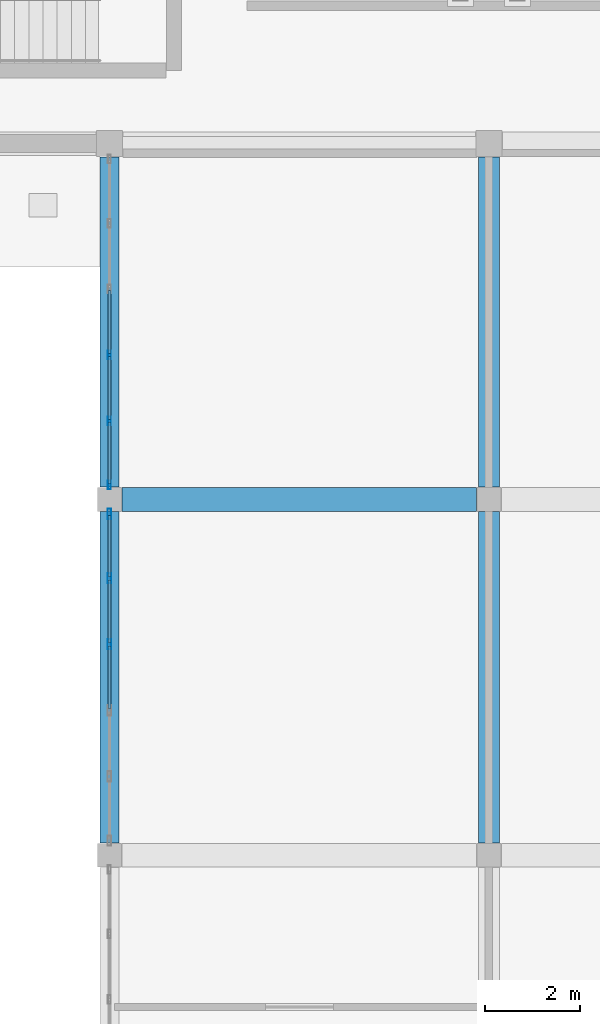
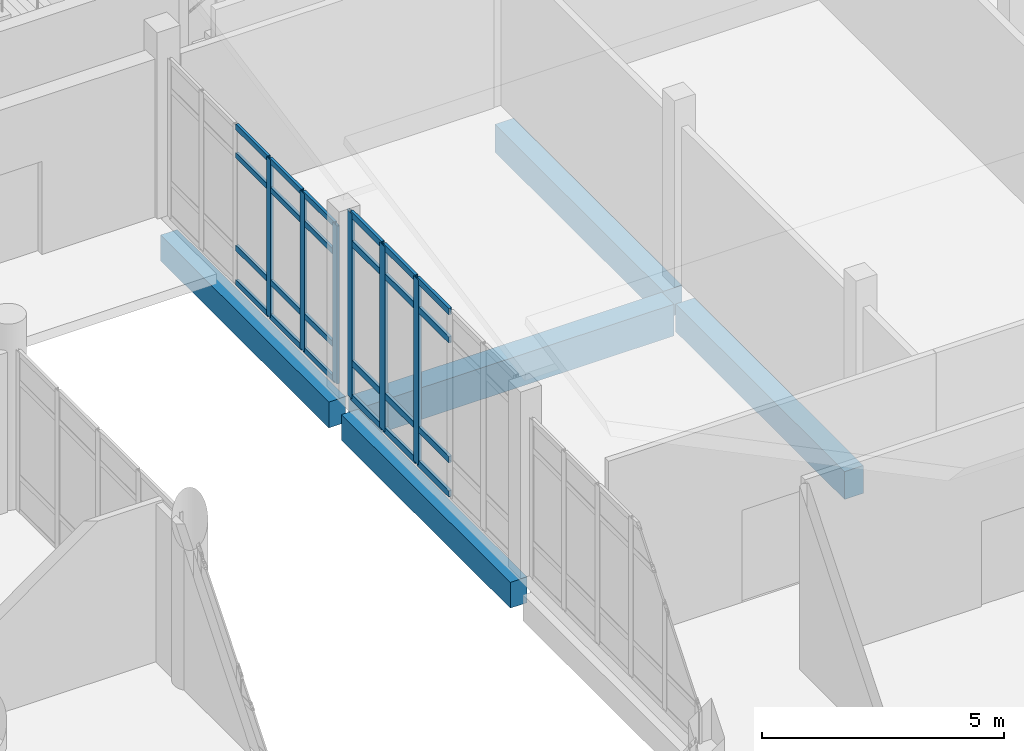
# One storey, part 78 of 173: 30 members, 5 beams, 2 elements without a shape of their own.
"""IFC4 building model written with IfcOpenShell, lengths in metres."""

from ifc_helpers import new_model, si_unit, direction, frame, origin, origin_2d, place, context, subcontext, project, spatial, rectangle, hollow_rectangle, extrude, material, layer, layer_set, material_profile, profile_set, type_object, element, aggregate, save


model = new_model("IFC4")

# Units and contexts
model_context = context("Model", 3, precision=1e-05, world=origin(), true_north=direction((0.0, 1.0)))
body_context = subcontext(model_context, "Body", "Model", "MODEL_VIEW")
ifc_project = project(units=[si_unit("LENGTHUNIT", "METRE"), si_unit("AREAUNIT", "SQUARE_METRE"), si_unit("VOLUMEUNIT", "CUBIC_METRE"), si_unit("PLANEANGLEUNIT", "RADIAN"), si_unit("MASSUNIT", "GRAM", prefix="KILO")], contexts=[model_context])

# Site, building, storey
site_placement = place(None, origin())
site = spatial("IfcSite", under=ifc_project, at=site_placement, CompositionType="ELEMENT")
building_placement = place(site_placement, origin())
building = spatial("IfcBuilding", under=site, at=building_placement, Name="Mawjan Specialist Oncology Clinic", CompositionType="ELEMENT")
storey_placement = place(building_placement, origin())
storey = spatial("IfcBuildingStorey", under=building, at=storey_placement, Name="L00", CompositionType="ELEMENT", Elevation=0.0)

# Beams
ifc_material_1 = material(Name="Concrete C40/50", Category="concrete")
ifc_material_profile_1 = material_profile(ifc_material_1, rectangle(XDim=0.449951171875, YDim=0.699951171875, at=origin_2d()), Name="RC BM 450x700", Category="concrete")
ifc_profile_set_1 = profile_set([ifc_material_profile_1], Name="Concrete C40/50")
beam_type_1 = type_object("IfcBeamType", Name="BM-450x700", PredefinedType="BEAM", material=ifc_profile_set_1)
beam_1_placement = place(storey_placement, frame((124.0, 61.06005859375, -0.77001953125), z_axis=(0.0, 1.0, 0.0), x_axis=(-1.0, 0.0, 0.0)))
element("IfcBeam", 1, at=beam_1_placement, inside=storey, type_object=beam_type_1, Name="L00 Collector Beam BM-L00-0190", PredefinedType="BEAM", context=body_context, shape_type="SweptSolid", body=[
    extrude(rectangle(XDim=0.449951171875, YDim=0.699951171875, at=origin_2d()), origin(), (0.0, 0.0, 1.0), 6.97998046875),
])
beam_2_placement = place(storey_placement, frame((124.0, 68.56005859375, -0.77001953125), z_axis=(0.0, 1.0, 0.0), x_axis=(-1.0, 0.0, 0.0)))
element("IfcBeam", 2, at=beam_2_placement, inside=storey, type_object=beam_type_1, Name="L00 Collector Beam BM-L00-0191", PredefinedType="BEAM", context=body_context, shape_type="SweptSolid", body=[
    extrude(rectangle(XDim=0.449951171875, YDim=0.699951171875, at=origin_2d()), origin(), (0.0, 0.0, 1.0), 6.954833984375),
])
ifc_material_2 = material(Name="Concrete C45/55", Category="concrete")
ifc_material_profile_2 = material_profile(ifc_material_2, rectangle(XDim=0.5, YDim=0.800048828125, at=origin_2d()), Name="RC BM 500x800", Category="concrete")
ifc_profile_set_2 = profile_set([ifc_material_profile_2], Name="Concrete C45/55")
beam_type_2 = type_object("IfcBeamType", Name="BM-500x800", PredefinedType="BEAM", material=ifc_profile_set_2)
beam_3_placement = place(storey_placement, frame((116.260009765625, 68.300048828125, -0.820068359375), z_axis=(1.0, 0.0, 0.0), x_axis=(0.0, 1.0, 0.0)))
element("IfcBeam", 3, at=beam_3_placement, inside=storey, type_object=beam_type_2, Name="L00 Collector Beam BM-L00-0005", PredefinedType="BEAM", context=body_context, shape_type="SweptSolid", body=[
    extrude(rectangle(XDim=0.5, YDim=0.800048828125, at=origin_2d()), origin(), (0.0, 0.0, 1.0), 7.47998046875),
])

# Curtain wall, members
ifc_material_3 = material(Name="Unitised spectrally selective aluminium curtain wall", Category="aluminium")
ifc_layer_1 = layer(ifc_material_3, 0.179931640625, Name="Unitised spectrally selective aluminium curtain wall", Category="aluminium")
ifc_layer_set_1 = layer_set([ifc_layer_1], Name="Unitised spectrally selective aluminium curtain wall")
curtain_wall_type_1 = type_object("IfcCurtainWallType", Name="CW-30", PredefinedType="NOTDEFINED", material=ifc_layer_set_1)
curtain_wall_1_placement = place(storey_placement, origin())
curtain_wall_1 = element("IfcCurtainWall", 4, at=curtain_wall_1_placement, inside=storey, type_object=curtain_wall_type_1, Name="L00 Unitised Curtain Wall CW-L00-066", PredefinedType="NOTDEFINED")
ifc_material_4 = material(Name="Thermally broken aluminium 6063-T6", Category="aluminium")
ifc_material_profile_3 = material_profile(ifc_material_4, hollow_rectangle(XDim=0.06494140625, YDim=0.179931640625, WallThickness=0.00390625, at=origin_2d()), Name="ALU MULLION 180x65x4", Category="aluminium")
ifc_profile_set_3 = profile_set([ifc_material_profile_3], Name="Thermally broken aluminium 6063-T6")
member_type_1 = type_object("IfcMemberType", Name="CW-M180", PredefinedType="MULLION", material=ifc_profile_set_3)
member_1_placement = place(storey_placement, frame((116.0, 68.6025390625, 0.0), z_axis=(0.0, 0.0, 1.0), x_axis=(-1.0, 0.0, 0.0)))
member_1 = element("IfcMember", 5, at=member_1_placement, type_object=member_type_1, Name="CW-30 mullion 1", PredefinedType="MULLION", context=body_context, shape_type="SweptSolid", body=[
    extrude(hollow_rectangle(XDim=0.06494140625, YDim=0.179931640625, WallThickness=0.00390625, at=origin_2d()), origin(), (0.0, 0.0, 1.0), 3.985107421875),
])
member_2_placement = place(storey_placement, frame((116.0, 69.95703125, 0.0), z_axis=(0.0, 0.0, 1.0), x_axis=(-1.0, 0.0, 0.0)))
member_2 = element("IfcMember", 6, at=member_2_placement, type_object=member_type_1, Name="CW-30 mullion 2", PredefinedType="MULLION", context=body_context, shape_type="SweptSolid", body=[
    extrude(hollow_rectangle(XDim=0.06494140625, YDim=0.179931640625, WallThickness=0.00390625, at=origin_2d()), origin(), (0.0, 0.0, 1.0), 3.985107421875),
])
member_3_placement = place(storey_placement, frame((116.0, 71.343994140625, 0.0), z_axis=(0.0, 0.0, 1.0), x_axis=(-1.0, 0.0, 0.0)))
member_3 = element("IfcMember", 7, at=member_3_placement, type_object=member_type_1, Name="CW-30 mullion 3", PredefinedType="MULLION", context=body_context, shape_type="SweptSolid", body=[
    extrude(hollow_rectangle(XDim=0.06494140625, YDim=0.179931640625, WallThickness=0.00390625, at=origin_2d()), origin(), (0.0, 0.0, 1.0), 3.985107421875),
])

ifc_material_5 = material(Name="Unitised spectrally selective aluminium curtain wall", Category="aluminium")
ifc_layer_2 = layer(ifc_material_5, 0.179931640625, Name="Unitised spectrally selective aluminium curtain wall", Category="aluminium")
ifc_layer_set_2 = layer_set([ifc_layer_2], Name="Unitised spectrally selective aluminium curtain wall")
curtain_wall_type_2 = type_object("IfcCurtainWallType", Name="CW-11", PredefinedType="NOTDEFINED", material=ifc_layer_set_2)
curtain_wall_2_placement = place(storey_placement, origin())
curtain_wall_2 = element("IfcCurtainWall", 8, at=curtain_wall_2_placement, inside=storey, type_object=curtain_wall_type_2, Name="L00 Unitised Curtain Wall CW-L00-065", PredefinedType="NOTDEFINED")
ifc_material_6 = material(Name="Thermally broken aluminium 6063-T6", Category="aluminium")
ifc_material_profile_4 = material_profile(ifc_material_6, hollow_rectangle(XDim=0.070068359375, YDim=0.219970703125, WallThickness=0.00390625, at=origin_2d()), Name="ALU MULLION 220x70x4", Category="aluminium")
ifc_profile_set_4 = profile_set([ifc_material_profile_4], Name="Thermally broken aluminium 6063-T6")
member_type_2 = type_object("IfcMemberType", Name="CW-M220", PredefinedType="MULLION", material=ifc_profile_set_4)
member_4_placement = place(storey_placement, frame((116.0, 65.24609375, 0.0), z_axis=(0.0, 0.0, 1.0), x_axis=(-1.0, 0.0, 0.0)))
member_4 = element("IfcMember", 9, at=member_4_placement, type_object=member_type_2, Name="CW-11 mullion 4", PredefinedType="MULLION", context=body_context, shape_type="SweptSolid", body=[
    extrude(hollow_rectangle(XDim=0.070068359375, YDim=0.219970703125, WallThickness=0.00390625, at=origin_2d()), origin(), (0.0, 0.0, 1.0), 4.669921875),
])
member_5_placement = place(storey_placement, frame((116.0, 66.637939453125, 0.0), z_axis=(0.0, 0.0, 1.0), x_axis=(-1.0, 0.0, 0.0)))
member_5 = element("IfcMember", 10, at=member_5_placement, type_object=member_type_2, Name="CW-11 mullion 5", PredefinedType="MULLION", context=body_context, shape_type="SweptSolid", body=[
    extrude(hollow_rectangle(XDim=0.070068359375, YDim=0.219970703125, WallThickness=0.00390625, at=origin_2d()), origin(), (0.0, 0.0, 1.0), 4.669921875),
])
member_6_placement = place(storey_placement, frame((116.0, 67.9951171875, 0.0), z_axis=(0.0, 0.0, 1.0), x_axis=(-1.0, 0.0, 0.0)))
member_6 = element("IfcMember", 11, at=member_6_placement, type_object=member_type_2, Name="CW-11 mullion 6", PredefinedType="MULLION", context=body_context, shape_type="SweptSolid", body=[
    extrude(hollow_rectangle(XDim=0.070068359375, YDim=0.219970703125, WallThickness=0.00390625, at=origin_2d()), origin(), (0.0, 0.0, 1.0), 4.669921875),
])

# Member
ifc_material_7 = material(Name="Thermally broken aluminium 6063-T6", Category="aluminium")
ifc_material_profile_5 = material_profile(ifc_material_7, hollow_rectangle(XDim=0.06494140625, YDim=0.139892578125, WallThickness=0.00390625, at=origin_2d()), Name="ALU TRANSOM 140x65x4", Category="aluminium")
ifc_profile_set_5 = profile_set([ifc_material_profile_5], Name="Thermally broken aluminium 6063-T6")
member_type_3 = type_object("IfcMemberType", Name="CW-T140", PredefinedType="USERDEFINED", material=ifc_profile_set_5)
member_7_placement = place(storey_placement, frame((116.0, 68.635009765625, 0.032470703125), z_axis=(0.0, 1.0, 0.0), x_axis=(-1.0, 0.0, 0.0)))
member_7 = element("IfcMember", 12, at=member_7_placement, type_object=member_type_3, Name="CW-30 transom 1.1", ObjectType="TRANSOM", PredefinedType="USERDEFINED", context=body_context, shape_type="SweptSolid", body=[
    extrude(hollow_rectangle(XDim=0.06494140625, YDim=0.139892578125, WallThickness=0.00390625, at=origin_2d()), origin(), (0.0, 0.0, 1.0), 1.28955078125),
])

member_8_placement = place(storey_placement, frame((116.0, 68.635009765625, 0.89990234375), z_axis=(0.0, 1.0, 0.0), x_axis=(-1.0, 0.0, 0.0)))
member_8 = element("IfcMember", 13, at=member_8_placement, type_object=member_type_3, Name="CW-30 transom 1.2", ObjectType="TRANSOM", PredefinedType="USERDEFINED", context=body_context, shape_type="SweptSolid", body=[
    extrude(hollow_rectangle(XDim=0.06494140625, YDim=0.139892578125, WallThickness=0.00390625, at=origin_2d()), origin(), (0.0, 0.0, 1.0), 1.28955078125),
])

member_9_placement = place(storey_placement, frame((116.0, 68.635009765625, 3.235107421875), z_axis=(0.0, 1.0, 0.0), x_axis=(-1.0, 0.0, 0.0)))
member_9 = element("IfcMember", 14, at=member_9_placement, type_object=member_type_3, Name="CW-30 transom 1.3", ObjectType="TRANSOM", PredefinedType="USERDEFINED", context=body_context, shape_type="SweptSolid", body=[
    extrude(hollow_rectangle(XDim=0.06494140625, YDim=0.139892578125, WallThickness=0.00390625, at=origin_2d()), origin(), (0.0, 0.0, 1.0), 1.28955078125),
])

member_10_placement = place(storey_placement, frame((116.0, 68.635009765625, 3.952392578125), z_axis=(0.0, 1.0, 0.0), x_axis=(-1.0, 0.0, 0.0)))
member_10 = element("IfcMember", 15, at=member_10_placement, type_object=member_type_3, Name="CW-30 transom 1.4", ObjectType="TRANSOM", PredefinedType="USERDEFINED", context=body_context, shape_type="SweptSolid", body=[
    extrude(hollow_rectangle(XDim=0.06494140625, YDim=0.139892578125, WallThickness=0.00390625, at=origin_2d()), origin(), (0.0, 0.0, 1.0), 1.28955078125),
])

member_11_placement = place(storey_placement, frame((116.0, 69.989501953125, 0.032470703125), z_axis=(0.0, 1.0, 0.0), x_axis=(-1.0, 0.0, 0.0)))
member_11 = element("IfcMember", 16, at=member_11_placement, type_object=member_type_3, Name="CW-30 transom 2.1", ObjectType="TRANSOM", PredefinedType="USERDEFINED", context=body_context, shape_type="SweptSolid", body=[
    extrude(hollow_rectangle(XDim=0.06494140625, YDim=0.139892578125, WallThickness=0.00390625, at=origin_2d()), origin(), (0.0, 0.0, 1.0), 1.322021484375),
])

member_12_placement = place(storey_placement, frame((116.0, 69.989501953125, 0.89990234375), z_axis=(0.0, 1.0, 0.0), x_axis=(-1.0, 0.0, 0.0)))
member_12 = element("IfcMember", 17, at=member_12_placement, type_object=member_type_3, Name="CW-30 transom 2.2", ObjectType="TRANSOM", PredefinedType="USERDEFINED", context=body_context, shape_type="SweptSolid", body=[
    extrude(hollow_rectangle(XDim=0.06494140625, YDim=0.139892578125, WallThickness=0.00390625, at=origin_2d()), origin(), (0.0, 0.0, 1.0), 1.322021484375),
])

member_13_placement = place(storey_placement, frame((116.0, 69.989501953125, 3.235107421875), z_axis=(0.0, 1.0, 0.0), x_axis=(-1.0, 0.0, 0.0)))
member_13 = element("IfcMember", 18, at=member_13_placement, type_object=member_type_3, Name="CW-30 transom 2.3", ObjectType="TRANSOM", PredefinedType="USERDEFINED", context=body_context, shape_type="SweptSolid", body=[
    extrude(hollow_rectangle(XDim=0.06494140625, YDim=0.139892578125, WallThickness=0.00390625, at=origin_2d()), origin(), (0.0, 0.0, 1.0), 1.322021484375),
])

member_14_placement = place(storey_placement, frame((116.0, 69.989501953125, 3.952392578125), z_axis=(0.0, 1.0, 0.0), x_axis=(-1.0, 0.0, 0.0)))
member_14 = element("IfcMember", 19, at=member_14_placement, type_object=member_type_3, Name="CW-30 transom 2.4", ObjectType="TRANSOM", PredefinedType="USERDEFINED", context=body_context, shape_type="SweptSolid", body=[
    extrude(hollow_rectangle(XDim=0.06494140625, YDim=0.139892578125, WallThickness=0.00390625, at=origin_2d()), origin(), (0.0, 0.0, 1.0), 1.322021484375),
])

member_15_placement = place(storey_placement, frame((116.0, 71.37646484375, 0.032470703125), z_axis=(0.0, 1.0, 0.0), x_axis=(-1.0, 0.0, 0.0)))
member_15 = element("IfcMember", 20, at=member_15_placement, type_object=member_type_3, Name="CW-30 transom 3.1", ObjectType="TRANSOM", PredefinedType="USERDEFINED", context=body_context, shape_type="SweptSolid", body=[
    extrude(hollow_rectangle(XDim=0.06494140625, YDim=0.139892578125, WallThickness=0.00390625, at=origin_2d()), origin(), (0.0, 0.0, 1.0), 1.322021484375),
])

member_16_placement = place(storey_placement, frame((116.0, 71.37646484375, 0.89990234375), z_axis=(0.0, 1.0, 0.0), x_axis=(-1.0, 0.0, 0.0)))
member_16 = element("IfcMember", 21, at=member_16_placement, type_object=member_type_3, Name="CW-30 transom 3.2", ObjectType="TRANSOM", PredefinedType="USERDEFINED", context=body_context, shape_type="SweptSolid", body=[
    extrude(hollow_rectangle(XDim=0.06494140625, YDim=0.139892578125, WallThickness=0.00390625, at=origin_2d()), origin(), (0.0, 0.0, 1.0), 1.322021484375),
])

member_17_placement = place(storey_placement, frame((116.0, 71.37646484375, 3.235107421875), z_axis=(0.0, 1.0, 0.0), x_axis=(-1.0, 0.0, 0.0)))
member_17 = element("IfcMember", 22, at=member_17_placement, type_object=member_type_3, Name="CW-30 transom 3.3", ObjectType="TRANSOM", PredefinedType="USERDEFINED", context=body_context, shape_type="SweptSolid", body=[
    extrude(hollow_rectangle(XDim=0.06494140625, YDim=0.139892578125, WallThickness=0.00390625, at=origin_2d()), origin(), (0.0, 0.0, 1.0), 1.322021484375),
])

member_18_placement = place(storey_placement, frame((116.0, 71.37646484375, 3.952392578125), z_axis=(0.0, 1.0, 0.0), x_axis=(-1.0, 0.0, 0.0)))
member_18 = element("IfcMember", 23, at=member_18_placement, type_object=member_type_3, Name="CW-30 transom 3.4", ObjectType="TRANSOM", PredefinedType="USERDEFINED", context=body_context, shape_type="SweptSolid", body=[
    extrude(hollow_rectangle(XDim=0.06494140625, YDim=0.139892578125, WallThickness=0.00390625, at=origin_2d()), origin(), (0.0, 0.0, 1.0), 1.322021484375),
])

aggregate(curtain_wall_1, [member_1, member_2, member_3, member_7, member_8, member_9, member_10, member_11, member_12, member_13, member_14, member_15, member_16, member_17, member_18])

ifc_material_8 = material(Name="Thermally broken aluminium 6063-T6", Category="aluminium")
ifc_material_profile_6 = material_profile(ifc_material_8, hollow_rectangle(XDim=0.070068359375, YDim=0.159912109375, WallThickness=0.00390625, at=origin_2d()), Name="ALU TRANSOM 160x70x4", Category="aluminium")
ifc_profile_set_6 = profile_set([ifc_material_profile_6], Name="Thermally broken aluminium 6063-T6")
member_type_4 = type_object("IfcMemberType", Name="CW-T160", PredefinedType="USERDEFINED", material=ifc_profile_set_6)
member_19_placement = place(storey_placement, frame((116.0, 63.888916015625, 0.034912109375), z_axis=(0.0, 1.0, 0.0), x_axis=(-1.0, 0.0, 0.0)))
member_19 = element("IfcMember", 24, at=member_19_placement, type_object=member_type_4, Name="CW-11 transom 3.1", ObjectType="TRANSOM", PredefinedType="USERDEFINED", context=body_context, shape_type="SweptSolid", body=[
    extrude(hollow_rectangle(XDim=0.070068359375, YDim=0.159912109375, WallThickness=0.00390625, at=origin_2d()), origin(), (0.0, 0.0, 1.0), 1.322021484375),
])

member_20_placement = place(storey_placement, frame((116.0, 63.888916015625, 0.89990234375), z_axis=(0.0, 1.0, 0.0), x_axis=(-1.0, 0.0, 0.0)))
member_20 = element("IfcMember", 25, at=member_20_placement, type_object=member_type_4, Name="CW-11 transom 3.2", ObjectType="TRANSOM", PredefinedType="USERDEFINED", context=body_context, shape_type="SweptSolid", body=[
    extrude(hollow_rectangle(XDim=0.070068359375, YDim=0.159912109375, WallThickness=0.00390625, at=origin_2d()), origin(), (0.0, 0.0, 1.0), 1.322021484375),
])

member_21_placement = place(storey_placement, frame((116.0, 63.888916015625, 3.919921875), z_axis=(0.0, 1.0, 0.0), x_axis=(-1.0, 0.0, 0.0)))
member_21 = element("IfcMember", 26, at=member_21_placement, type_object=member_type_4, Name="CW-11 transom 3.3", ObjectType="TRANSOM", PredefinedType="USERDEFINED", context=body_context, shape_type="SweptSolid", body=[
    extrude(hollow_rectangle(XDim=0.070068359375, YDim=0.159912109375, WallThickness=0.00390625, at=origin_2d()), origin(), (0.0, 0.0, 1.0), 1.322021484375),
])

member_22_placement = place(storey_placement, frame((116.0, 63.888916015625, 4.635009765625), z_axis=(0.0, 1.0, 0.0), x_axis=(-1.0, 0.0, 0.0)))
member_22 = element("IfcMember", 27, at=member_22_placement, type_object=member_type_4, Name="CW-11 transom 3.4", ObjectType="TRANSOM", PredefinedType="USERDEFINED", context=body_context, shape_type="SweptSolid", body=[
    extrude(hollow_rectangle(XDim=0.070068359375, YDim=0.159912109375, WallThickness=0.00390625, at=origin_2d()), origin(), (0.0, 0.0, 1.0), 1.322021484375),
])

member_23_placement = place(storey_placement, frame((116.0, 65.281005859375, 0.034912109375), z_axis=(0.0, 1.0, 0.0), x_axis=(-1.0, 0.0, 0.0)))
member_23 = element("IfcMember", 28, at=member_23_placement, type_object=member_type_4, Name="CW-11 transom 4.1", ObjectType="TRANSOM", PredefinedType="USERDEFINED", context=body_context, shape_type="SweptSolid", body=[
    extrude(hollow_rectangle(XDim=0.070068359375, YDim=0.159912109375, WallThickness=0.00390625, at=origin_2d()), origin(), (0.0, 0.0, 1.0), 1.322021484375),
])

member_24_placement = place(storey_placement, frame((116.0, 65.281005859375, 0.89990234375), z_axis=(0.0, 1.0, 0.0), x_axis=(-1.0, 0.0, 0.0)))
member_24 = element("IfcMember", 29, at=member_24_placement, type_object=member_type_4, Name="CW-11 transom 4.2", ObjectType="TRANSOM", PredefinedType="USERDEFINED", context=body_context, shape_type="SweptSolid", body=[
    extrude(hollow_rectangle(XDim=0.070068359375, YDim=0.159912109375, WallThickness=0.00390625, at=origin_2d()), origin(), (0.0, 0.0, 1.0), 1.322021484375),
])

member_25_placement = place(storey_placement, frame((116.0, 65.281005859375, 3.919921875), z_axis=(0.0, 1.0, 0.0), x_axis=(-1.0, 0.0, 0.0)))
member_25 = element("IfcMember", 30, at=member_25_placement, type_object=member_type_4, Name="CW-11 transom 4.3", ObjectType="TRANSOM", PredefinedType="USERDEFINED", context=body_context, shape_type="SweptSolid", body=[
    extrude(hollow_rectangle(XDim=0.070068359375, YDim=0.159912109375, WallThickness=0.00390625, at=origin_2d()), origin(), (0.0, 0.0, 1.0), 1.322021484375),
])

member_26_placement = place(storey_placement, frame((116.0, 65.281005859375, 4.635009765625), z_axis=(0.0, 1.0, 0.0), x_axis=(-1.0, 0.0, 0.0)))
member_26 = element("IfcMember", 31, at=member_26_placement, type_object=member_type_4, Name="CW-11 transom 4.4", ObjectType="TRANSOM", PredefinedType="USERDEFINED", context=body_context, shape_type="SweptSolid", body=[
    extrude(hollow_rectangle(XDim=0.070068359375, YDim=0.159912109375, WallThickness=0.00390625, at=origin_2d()), origin(), (0.0, 0.0, 1.0), 1.322021484375),
])

member_27_placement = place(storey_placement, frame((116.0, 66.673095703125, 0.034912109375), z_axis=(0.0, 1.0, 0.0), x_axis=(-1.0, 0.0, 0.0)))
member_27 = element("IfcMember", 32, at=member_27_placement, type_object=member_type_4, Name="CW-11 transom 5.1", ObjectType="TRANSOM", PredefinedType="USERDEFINED", context=body_context, shape_type="SweptSolid", body=[
    extrude(hollow_rectangle(XDim=0.070068359375, YDim=0.159912109375, WallThickness=0.00390625, at=origin_2d()), origin(), (0.0, 0.0, 1.0), 1.286865234375),
])

member_28_placement = place(storey_placement, frame((116.0, 66.673095703125, 0.89990234375), z_axis=(0.0, 1.0, 0.0), x_axis=(-1.0, 0.0, 0.0)))
member_28 = element("IfcMember", 33, at=member_28_placement, type_object=member_type_4, Name="CW-11 transom 5.2", ObjectType="TRANSOM", PredefinedType="USERDEFINED", context=body_context, shape_type="SweptSolid", body=[
    extrude(hollow_rectangle(XDim=0.070068359375, YDim=0.159912109375, WallThickness=0.00390625, at=origin_2d()), origin(), (0.0, 0.0, 1.0), 1.286865234375),
])

member_29_placement = place(storey_placement, frame((116.0, 66.673095703125, 3.919921875), z_axis=(0.0, 1.0, 0.0), x_axis=(-1.0, 0.0, 0.0)))
member_29 = element("IfcMember", 34, at=member_29_placement, type_object=member_type_4, Name="CW-11 transom 5.3", ObjectType="TRANSOM", PredefinedType="USERDEFINED", context=body_context, shape_type="SweptSolid", body=[
    extrude(hollow_rectangle(XDim=0.070068359375, YDim=0.159912109375, WallThickness=0.00390625, at=origin_2d()), origin(), (0.0, 0.0, 1.0), 1.286865234375),
])

member_30_placement = place(storey_placement, frame((116.0, 66.673095703125, 4.635009765625), z_axis=(0.0, 1.0, 0.0), x_axis=(-1.0, 0.0, 0.0)))
member_30 = element("IfcMember", 35, at=member_30_placement, type_object=member_type_4, Name="CW-11 transom 5.4", ObjectType="TRANSOM", PredefinedType="USERDEFINED", context=body_context, shape_type="SweptSolid", body=[
    extrude(hollow_rectangle(XDim=0.070068359375, YDim=0.159912109375, WallThickness=0.00390625, at=origin_2d()), origin(), (0.0, 0.0, 1.0), 1.286865234375),
])

aggregate(curtain_wall_2, [member_4, member_5, member_6, member_19, member_20, member_21, member_22, member_23, member_24, member_25, member_26, member_27, member_28, member_29, member_30])

# Beams
ifc_material_9 = material(Name="Concrete C45/55", Category="concrete")
ifc_material_profile_7 = material_profile(ifc_material_9, rectangle(XDim=0.39990234375, YDim=0.64990234375, at=origin_2d()), Name="RC BM 400x650", Category="concrete")
ifc_profile_set_7 = profile_set([ifc_material_profile_7], Name="Concrete C45/55")
beam_type_3 = type_object("IfcBeamType", Name="SP-400x650", PredefinedType="SPANDREL", material=ifc_profile_set_7)
beam_4_placement = place(storey_placement, frame((116.0, 61.06005859375, -0.7451171875), z_axis=(0.0, 1.0, 0.0), x_axis=(-1.0, 0.0, 0.0)))
element("IfcBeam", 36, at=beam_4_placement, inside=storey, type_object=beam_type_3, Name="L00 Spandrel Beam BM-L00-0185", PredefinedType="SPANDREL", context=body_context, shape_type="SweptSolid", body=[
    extrude(rectangle(XDim=0.39990234375, YDim=0.64990234375, at=origin_2d()), origin(), (0.0, 0.0, 1.0), 6.97998046875),
])
beam_5_placement = place(storey_placement, frame((116.0, 68.56005859375, -0.7451171875), z_axis=(0.0, 1.0, 0.0), x_axis=(-1.0, 0.0, 0.0)))
element("IfcBeam", 37, at=beam_5_placement, inside=storey, type_object=beam_type_3, Name="L00 Spandrel Beam BM-L00-0186", PredefinedType="SPANDREL", context=body_context, shape_type="SweptSolid", body=[
    extrude(rectangle(XDim=0.39990234375, YDim=0.64990234375, at=origin_2d()), origin(), (0.0, 0.0, 1.0), 6.954833984375),
])

save(model, "model.ifc")
